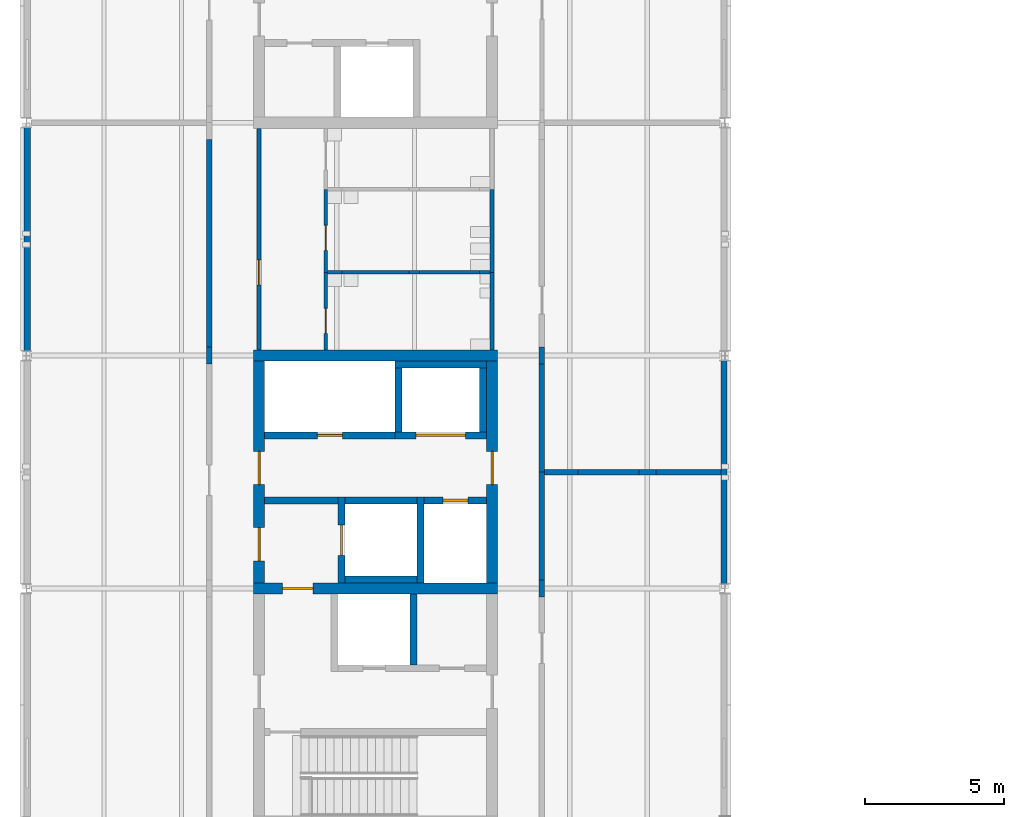
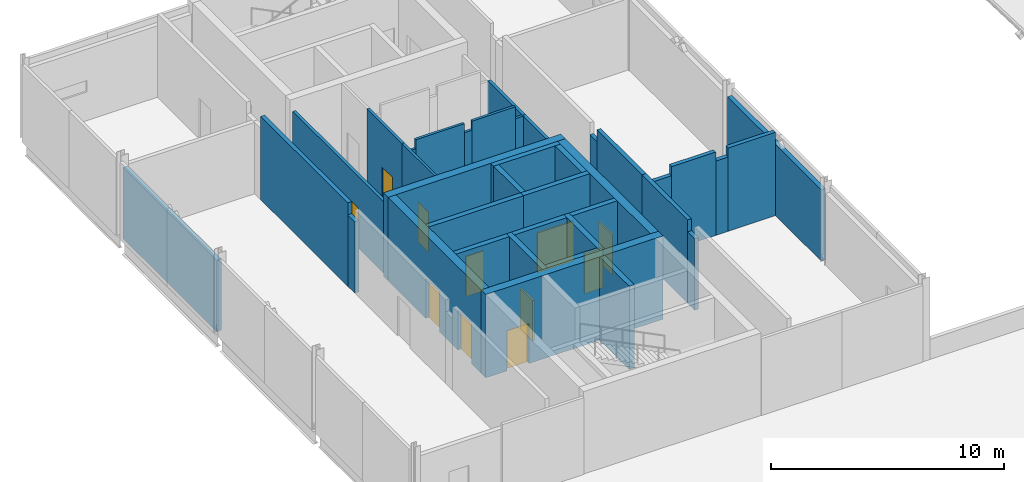
# One storey, part 32 of 76: 38 walls, 11 doors, 11 openings.
"""IFC4 building model written with IfcOpenShell, lengths in metres."""

from ifc_helpers import new_model, si_unit, direction, frame, frame_2d, origin, place, context, subcontext, project, spatial, rectangle, extrude, material, layer, layer_set, type_object, element, fill, save


model = new_model("IFC4")

# Units and contexts
model_context = context("Model", 3, precision=1e-05, world=origin(), true_north=direction((0.0, 1.0)))
body_context = subcontext(model_context, "Body", "Model", "MODEL_VIEW")
ifc_project = project(units=[si_unit("LENGTHUNIT", "METRE"), si_unit("AREAUNIT", "SQUARE_METRE"), si_unit("VOLUMEUNIT", "CUBIC_METRE"), si_unit("PLANEANGLEUNIT", "RADIAN"), si_unit("MASSUNIT", "GRAM", prefix="KILO")], contexts=[model_context])

# Site, building, storey
site_placement = place(None, origin())
site = spatial("IfcSite", under=ifc_project, at=site_placement, CompositionType="ELEMENT")
building_placement = place(site_placement, origin())
building = spatial("IfcBuilding", under=site, at=building_placement, Name="Hlaing Beacon Police Headquarters", CompositionType="ELEMENT")
storey_placement = place(building_placement, frame((0.0, 0.0, 18.89990234375)))
storey = spatial("IfcBuildingStorey", under=building, at=storey_placement, Name="L04", CompositionType="ELEMENT", Elevation=18.89990234375)

# Wall, opening, door
ifc_material_1 = material(Name="Concrete C60/75", Category="concrete")
ifc_layer_1 = layer(ifc_material_1, 0.39990234375)
ifc_layer_set_1 = layer_set([ifc_layer_1], Name="Concrete C60/75")
wall_type_1 = type_object("IfcWallType", Name="Core shear wall 400", PredefinedType="SHEAR", material=ifc_layer_set_1)
wall_1_placement = place(storey_placement, frame((16.60009765625, 42.0, 0.0), z_axis=(0.0, 0.0, 1.0), x_axis=(1.0, 0.0, 0.0)))
wall_1 = element("IfcWall", 1, at=wall_1_placement, inside=storey, type_object=wall_type_1, Name="Core shear wall", PredefinedType="SHEAR", context=body_context, shape_type="SweptSolid", body=[
    extrude(rectangle(XDim=8.7998046875, YDim=0.39990234375, at=frame_2d((4.39990234375, 0.0))), origin(), (0.0, 0.0, 1.0), 4.3701171875),
])
opening_1_placement = place(wall_1_placement, frame((1.050048828125, 0.0, 0.0)))
opening_1 = element("IfcOpeningElement", 2, at=opening_1_placement, cuts=wall_1, Name="Opening L04-919", PredefinedType="OPENING", context=body_context, shape_type="SweptSolid", body=[
    extrude(rectangle(XDim=1.10009765625, YDim=2.10009765625, at=frame_2d((0.550048828125, 1.050048828125))), frame((0.0, 0.2099609375, 0.0), z_axis=(0.0, -1.0, 0.0), x_axis=(1.0, 0.0, 0.0)), (0.0, 0.0, 1.0), 0.419921875),
])
ifc_material_2 = material(Name="Steel fire door leaf", Category="steel")
ifc_layer_2 = layer(ifc_material_2, 0.070068359375)
ifc_layer_set_2 = layer_set([ifc_layer_2], Name="Steel fire door leaf")
door_type_1 = type_object("IfcDoorType", Name="Steel fire door FD60S 1100x2100", OperationType="SINGLE_SWING_LEFT", PredefinedType="DOOR", material=ifc_layer_set_2)
door_1_placement = place(opening_1_placement, frame((1.10009765625, 0.0, 0.0), z_axis=(0.0, 0.0, 1.0), x_axis=(-1.0, 0.0, 0.0)))
door_1 = element("IfcDoor", 3, at=door_1_placement, inside=storey, type_object=door_type_1, Name="Door Firefighting Lobby Stair", OperationType="SINGLE_SWING_LEFT", OverallHeight=2.10009765625, OverallWidth=1.10009765625, PredefinedType="DOOR", context=body_context, shape_type="SweptSolid", body=[
    extrude(rectangle(XDim=1.10009765625, YDim=2.10009765625, at=frame_2d((0.550048828125, 1.050048828125))), frame((0.0, 0.034912109375, 0.0), z_axis=(0.0, -1.0, 0.0), x_axis=(1.0, 0.0, 0.0)), (0.0, 0.0, 1.0), 0.070068359375),
])
fill(opening_1, door_1)

# Wall
wall_2_placement = place(storey_placement, frame((16.60009765625, 50.39990234375, 0.0), z_axis=(0.0, 0.0, 1.0), x_axis=(1.0, 0.0, 0.0)))
element("IfcWall", 4, at=wall_2_placement, inside=storey, type_object=wall_type_1, Name="Core shear wall", PredefinedType="SHEAR", context=body_context, shape_type="SweptSolid", body=[
    extrude(rectangle(XDim=8.7998046875, YDim=0.39990234375, at=frame_2d((4.39990234375, 0.0))), origin(), (0.0, 0.0, 1.0), 4.3701171875),
])

# Wall, openings, doors
wall_3_placement = place(storey_placement, frame((16.800048828125, 42.199951171875, 0.0), z_axis=(0.0, 0.0, 1.0), x_axis=(0.0, 1.0, 0.0)))
wall_3 = element("IfcWall", 5, at=wall_3_placement, inside=storey, type_object=wall_type_1, Name="Core shear wall", PredefinedType="SHEAR", context=body_context, shape_type="SweptSolid", body=[
    extrude(rectangle(XDim=8.0, YDim=0.39990234375, at=frame_2d((4.0, 0.0))), origin(), (0.0, 0.0, 1.0), 4.3701171875),
])
opening_2_placement = place(wall_3_placement, frame((3.550048828125, 0.0, 0.0)))
opening_2 = element("IfcOpeningElement", 6, at=opening_2_placement, cuts=wall_3, Name="Opening L04-916", PredefinedType="OPENING", context=body_context, shape_type="SweptSolid", body=[
    extrude(rectangle(XDim=1.199951171875, YDim=2.10009765625, at=frame_2d((0.60009765625, 1.050048828125))), frame((0.0, 0.2099609375, 0.0), z_axis=(0.0, -1.0, 0.0), x_axis=(1.0, 0.0, 0.0)), (0.0, 0.0, 1.0), 0.419921875),
])
opening_3_placement = place(wall_3_placement, frame((0.800048828125, 0.0, 0.0)))
opening_3 = element("IfcOpeningElement", 7, at=opening_3_placement, cuts=wall_3, Name="Opening L04-918", PredefinedType="OPENING", context=body_context, shape_type="SweptSolid", body=[
    extrude(rectangle(XDim=1.199951171875, YDim=2.10009765625, at=frame_2d((0.60009765625, 1.050048828125))), frame((0.0, 0.2099609375, 0.0), z_axis=(0.0, -1.0, 0.0), x_axis=(1.0, 0.0, 0.0)), (0.0, 0.0, 1.0), 0.419921875),
])
ifc_material_3 = material(Name="Steel fire door leaf", Category="steel")
ifc_layer_3 = layer(ifc_material_3, 0.070068359375)
ifc_layer_set_3 = layer_set([ifc_layer_3], Name="Steel fire door leaf")
door_type_2 = type_object("IfcDoorType", Name="Steel fire door FD60S 1200x2100", OperationType="SINGLE_SWING_LEFT", PredefinedType="DOOR", material=ifc_layer_set_3)
door_2_placement = place(opening_2_placement, frame((1.199951171875, 0.0, 0.0), z_axis=(0.0, 0.0, 1.0), x_axis=(-1.0, 0.0, 0.0)))
door_2 = element("IfcDoor", 8, at=door_2_placement, inside=storey, type_object=door_type_2, Name="Door Lift Lobby Entry", OperationType="SINGLE_SWING_RIGHT", OverallHeight=2.10009765625, OverallWidth=1.199951171875, PredefinedType="DOOR", context=body_context, shape_type="SweptSolid", body=[
    extrude(rectangle(XDim=1.199951171875, YDim=2.10009765625, at=frame_2d((0.599853515625, 1.050048828125))), frame((0.0, 0.034912109375, 0.0), z_axis=(0.0, -1.0, 0.0), x_axis=(1.0, 0.0, 0.0)), (0.0, 0.0, 1.0), 0.070068359375),
])
fill(opening_2, door_2)
door_3_placement = place(opening_3_placement, frame((1.199951171875, 0.0, 0.0), z_axis=(0.0, 0.0, 1.0), x_axis=(-1.0, 0.0, 0.0)))
door_3 = element("IfcDoor", 9, at=door_3_placement, inside=storey, type_object=door_type_2, Name="Door Firefighting Lobby Entry", OperationType="SINGLE_SWING_LEFT", OverallHeight=2.10009765625, OverallWidth=1.199951171875, PredefinedType="DOOR", context=body_context, shape_type="SweptSolid", body=[
    extrude(rectangle(XDim=1.199951171875, YDim=2.10009765625, at=frame_2d((0.599853515625, 1.050048828125))), frame((0.0, 0.034912109375, 0.0), z_axis=(0.0, -1.0, 0.0), x_axis=(1.0, 0.0, 0.0)), (0.0, 0.0, 1.0), 0.070068359375),
])
fill(opening_3, door_3)

# Wall, opening, door
wall_4_placement = place(storey_placement, frame((25.199951171875, 42.199951171875, 0.0), z_axis=(0.0, 0.0, 1.0), x_axis=(0.0, 1.0, 0.0)))
wall_4 = element("IfcWall", 10, at=wall_4_placement, inside=storey, type_object=wall_type_1, Name="Core shear wall", PredefinedType="SHEAR", context=body_context, shape_type="SweptSolid", body=[
    extrude(rectangle(XDim=8.0, YDim=0.39990234375, at=frame_2d((4.0, 0.0))), origin(), (0.0, 0.0, 1.0), 4.3701171875),
])
opening_4_placement = place(wall_4_placement, frame((3.550048828125, 0.0, 0.0)))
opening_4 = element("IfcOpeningElement", 11, at=opening_4_placement, cuts=wall_4, Name="Opening L04-917", PredefinedType="OPENING", context=body_context, shape_type="SweptSolid", body=[
    extrude(rectangle(XDim=1.199951171875, YDim=2.10009765625, at=frame_2d((0.60009765625, 1.050048828125))), frame((0.0, 0.2099609375, 0.0), z_axis=(0.0, -1.0, 0.0), x_axis=(1.0, 0.0, 0.0)), (0.0, 0.0, 1.0), 0.419921875),
])
door_4_placement = place(opening_4_placement, origin())
door_4 = element("IfcDoor", 12, at=door_4_placement, inside=storey, type_object=door_type_2, Name="Door Lift Lobby Entry", OperationType="SINGLE_SWING_LEFT", OverallHeight=2.10009765625, OverallWidth=1.199951171875, PredefinedType="DOOR", context=body_context, shape_type="SweptSolid", body=[
    extrude(rectangle(XDim=1.199951171875, YDim=2.10009765625, at=frame_2d((0.60009765625, 1.050048828125))), frame((0.0, 0.03515625, 0.0), z_axis=(0.0, -1.0, 0.0), x_axis=(1.0, 0.0, 0.0)), (0.0, 0.0, 1.0), 0.070068359375),
])
fill(opening_4, door_4)

# Walls
ifc_material_4 = material(Name="Gypsum board partition")
ifc_layer_4 = layer(ifc_material_4, 0.14990234375)
ifc_layer_set_4 = layer_set([ifc_layer_4], Name="Gypsum board partition")
wall_type_2 = type_object("IfcWallType", Name="Corridor wall EI 30 150", PredefinedType="PARTITIONING", material=ifc_layer_set_4)
wall_5_placement = place(storey_placement, frame((25.199951171875, 53.39990234375, 0.0), z_axis=(0.0, 0.0, 1.0), x_axis=(0.0, 1.0, 0.0)))
element("IfcWall", 13, at=wall_5_placement, inside=storey, type_object=wall_type_2, Name="Corridor wall EI 30 150", PredefinedType="PARTITIONING", context=body_context, shape_type="SweptSolid", body=[
    extrude(rectangle(XDim=3.0, YDim=0.14990234375, at=frame_2d((1.5, 0.0))), origin(), (0.0, 0.0, 1.0), 3.74609375),
])
wall_6_placement = place(storey_placement, frame((25.199951171875, 50.60009765625, 0.0), z_axis=(0.0, 0.0, 1.0), x_axis=(0.0, 1.0, 0.0)))
element("IfcWall", 14, at=wall_6_placement, inside=storey, type_object=wall_type_2, Name="Corridor wall EI 30 150", PredefinedType="PARTITIONING", context=body_context, shape_type="SweptSolid", body=[
    extrude(rectangle(XDim=2.7998046875, YDim=0.14990234375, at=frame_2d((1.39990234375, 0.0))), origin(), (0.0, 0.0, 1.0), 3.74609375),
])

# Wall, opening, door
wall_7_placement = place(storey_placement, frame((16.800048828125, 50.60009765625, 0.0), z_axis=(0.0, 0.0, 1.0), x_axis=(0.0, 1.0, 0.0)))
wall_7 = element("IfcWall", 15, at=wall_7_placement, inside=storey, type_object=wall_type_2, Name="Corridor wall EI 30 150", PredefinedType="PARTITIONING", context=body_context, shape_type="SweptSolid", body=[
    extrude(rectangle(XDim=8.0, YDim=0.14990234375, at=frame_2d((4.0, 0.0))), origin(), (0.0, 0.0, 1.0), 3.74609375),
])
opening_5_placement = place(wall_7_placement, frame((2.35009765625, 0.0, 0.0)))
opening_5 = element("IfcOpeningElement", 16, at=opening_5_placement, cuts=wall_7, Name="Opening L04-017", PredefinedType="OPENING", context=body_context, shape_type="SweptSolid", body=[
    extrude(rectangle(XDim=0.89990234375, YDim=2.10009765625, at=frame_2d((0.449951171875, 1.050048828125))), frame((0.0, 0.0849609375, 0.0), z_axis=(0.0, -1.0, 0.0), x_axis=(1.0, 0.0, 0.0)), (0.0, 0.0, 1.0), 0.169921875),
])
ifc_material_5 = material(Name="Hardwood door leaf", Category="wood")
ifc_layer_5 = layer(ifc_material_5, 0.050048828125)
ifc_layer_set_5 = layer_set([ifc_layer_5], Name="Hardwood door leaf")
door_type_3 = type_object("IfcDoorType", Name="Fire door FD30S 900x2100", OperationType="SINGLE_SWING_LEFT", PredefinedType="DOOR", material=ifc_layer_set_5)
door_5_placement = place(opening_5_placement, frame((0.89990234375, 0.0, 0.0), z_axis=(0.0, 0.0, 1.0), x_axis=(-1.0, 0.0, 0.0)))
door_5 = element("IfcDoor", 17, at=door_5_placement, inside=storey, type_object=door_type_3, Name="Door WC Lobby", OperationType="SINGLE_SWING_RIGHT", OverallHeight=2.10009765625, OverallWidth=0.89990234375, PredefinedType="DOOR", context=body_context, shape_type="SweptSolid", body=[
    extrude(rectangle(XDim=0.89990234375, YDim=2.10009765625, at=frame_2d((0.449951171875, 1.050048828125))), frame((0.0, 0.025146484375, 0.0), z_axis=(0.0, -1.0, 0.0), x_axis=(1.0, 0.0, 0.0)), (0.0, 0.0, 1.0), 0.050048828125),
])
fill(opening_5, door_5)

# Walls
ifc_material_6 = material(Name="Concrete blockwork 7.5 N/mm2", Category="masonry")
ifc_layer_6 = layer(ifc_material_6, 0.199951171875)
ifc_layer_set_6 = layer_set([ifc_layer_6], Name="Concrete blockwork 7.5 N/mm2")
wall_type_3 = type_object("IfcWallType", Name="Laboratory wall EI 60 200", PredefinedType="PARTITIONING", material=ifc_layer_set_6)
wall_8_placement = place(storey_placement, frame((27.0, 41.695068359375, 0.0), z_axis=(0.0, 0.0, 1.0), x_axis=(0.0, 1.0, 0.0)))
element("IfcWall", 18, at=wall_8_placement, inside=storey, type_object=wall_type_3, Name="Laboratory wall EI 60 200", PredefinedType="PARTITIONING", context=body_context, shape_type="SweptSolid", body=[
    extrude(rectangle(XDim=0.60986328125, YDim=0.199951171875, at=frame_2d((0.304931640625, 0.0))), origin(), (0.0, 0.0, 1.0), 3.74609375),
])
for number, where, z_axis, x_axis, name in (
    (19, (27.0, 42.304931640625, 0.0), (0.0, 0.0, 1.0), (0.0, 1.0, 0.0), "Laboratory wall EI 60 200"),
    (20, (27.0, 46.199951171875, 0.0), (0.0, 0.0, 1.0), (0.0, 1.0, 0.0), "Laboratory wall EI 60 200"),
):
    element("IfcWall", number, at=place(storey_placement, frame(where, z_axis=z_axis, x_axis=x_axis)), inside=storey, type_object=wall_type_3, Name=name, PredefinedType="PARTITIONING", context=body_context, shape_type="SweptSolid", body=[
        extrude(rectangle(XDim=3.89501953125, YDim=0.199951171875, at=frame_2d((1.947509765625, 0.0))), origin(), (0.0, 0.0, 1.0), 4.3701171875),
    ])
for number, where, z_axis, x_axis, name in (
    (21, (27.0, 50.094970703125, 0.0), (0.0, 0.0, 1.0), (0.0, 1.0, 0.0), "Laboratory wall EI 60 200"),
    (22, (15.0, 50.094970703125, 0.0), (0.0, 0.0, 1.0), (0.0, 1.0, 0.0), "Laboratory wall EI 60 200"),
):
    element("IfcWall", number, at=place(storey_placement, frame(where, z_axis=z_axis, x_axis=x_axis)), inside=storey, type_object=wall_type_3, Name=name, PredefinedType="PARTITIONING", context=body_context, shape_type="SweptSolid", body=[
        extrude(rectangle(XDim=0.610107421875, YDim=0.199951171875, at=frame_2d((0.30517578125, 0.0))), origin(), (0.0, 0.0, 1.0), 3.74609375),
    ])
wall_9_placement = place(storey_placement, frame((15.0, 50.705078125, 0.0), z_axis=(0.0, 0.0, 1.0), x_axis=(0.0, 1.0, 0.0)))
element("IfcWall", 23, at=wall_9_placement, inside=storey, type_object=wall_type_3, Name="Laboratory wall EI 60 200", PredefinedType="PARTITIONING", context=body_context, shape_type="SweptSolid", body=[
    extrude(rectangle(XDim=7.48486328125, YDim=0.199951171875, at=frame_2d((3.742431640625, 0.0))), origin(), (0.0, 0.0, 1.0), 4.3701171875),
])
wall_10_placement = place(storey_placement, frame((27.10009765625, 46.199951171875, 0.0), z_axis=(0.0, 0.0, 1.0), x_axis=(1.0, 0.0, 0.0)))
element("IfcWall", 24, at=wall_10_placement, inside=storey, type_object=wall_type_3, Name="Laboratory wall EI 60 200", PredefinedType="PARTITIONING", context=body_context, shape_type="SweptSolid", body=[
    extrude(rectangle(XDim=1.204833984375, YDim=0.199951171875, at=frame_2d((0.6025390625, 0.0))), origin(), (0.0, 0.0, 1.0), 3.89501953125),
])
wall_11_placement = place(storey_placement, frame((28.304931640625, 46.199951171875, 0.0), z_axis=(0.0, 0.0, 1.0), x_axis=(1.0, 0.0, 0.0)))
element("IfcWall", 25, at=wall_11_placement, inside=storey, type_object=wall_type_3, Name="Laboratory wall EI 60 200", PredefinedType="PARTITIONING", context=body_context, shape_type="SweptSolid", body=[
    extrude(rectangle(XDim=2.190185546875, YDim=0.199951171875, at=frame_2d((1.09521484375, 0.0))), origin(), (0.0, 0.0, 1.0), 4.3701171875),
])
wall_12_placement = place(storey_placement, frame((30.4951171875, 46.199951171875, 0.0), z_axis=(0.0, 0.0, 1.0), x_axis=(1.0, 0.0, 0.0)))
element("IfcWall", 26, at=wall_12_placement, inside=storey, type_object=wall_type_3, Name="Laboratory wall EI 60 200", PredefinedType="PARTITIONING", context=body_context, shape_type="SweptSolid", body=[
    extrude(rectangle(XDim=0.60986328125, YDim=0.199951171875, at=frame_2d((0.304931640625, 0.0))), origin(), (0.0, 0.0, 1.0), 3.89501953125),
])
wall_13_placement = place(storey_placement, frame((31.10498046875, 46.199951171875, 0.0), z_axis=(0.0, 0.0, 1.0), x_axis=(1.0, 0.0, 0.0)))
element("IfcWall", 27, at=wall_13_placement, inside=storey, type_object=wall_type_3, Name="Laboratory wall EI 60 200", PredefinedType="PARTITIONING", context=body_context, shape_type="SweptSolid", body=[
    extrude(rectangle(XDim=2.344970703125, YDim=0.199951171875, at=frame_2d((1.17236328125, 0.0))), origin(), (0.0, 0.0, 1.0), 4.3701171875),
])

# Wall, opening, door
ifc_material_7 = material(Name="Gypsum board partition")
ifc_layer_7 = layer(ifc_material_7, 0.125)
ifc_layer_set_7 = layer_set([ifc_layer_7], Name="Gypsum board partition")
wall_type_4 = type_object("IfcWallType", Name="Partition 125", PredefinedType="PARTITIONING", material=ifc_layer_set_7)
wall_14_placement = place(storey_placement, frame((19.199951171875, 53.39990234375, 0.0), z_axis=(0.0, 0.0, 1.0), x_axis=(0.0, 1.0, 0.0)))
wall_14 = element("IfcWall", 28, at=wall_14_placement, inside=storey, type_object=wall_type_4, Name="Partition 125", PredefinedType="PARTITIONING", context=body_context, shape_type="SweptSolid", body=[
    extrude(rectangle(XDim=3.0, YDim=0.125, at=frame_2d((1.5, 0.0))), origin(), (0.0, 0.0, 1.0), 4.3701171875),
])
opening_6_placement = place(wall_14_placement, frame((0.800048828125, 0.0, 0.0)))
opening_6 = element("IfcOpeningElement", 29, at=opening_6_placement, cuts=wall_14, Name="Opening L04-016", PredefinedType="OPENING", context=body_context, shape_type="SweptSolid", body=[
    extrude(rectangle(XDim=0.89990234375, YDim=2.10009765625, at=frame_2d((0.449951171875, 1.050048828125))), frame((0.0, 0.072509765625, 0.0), z_axis=(0.0, -1.0, 0.0), x_axis=(1.0, 0.0, 0.0)), (0.0, 0.0, 1.0), 0.14501953125),
])
ifc_material_8 = material(Name="Hardwood door leaf", Category="wood")
ifc_layer_8 = layer(ifc_material_8, 0.0400390625)
ifc_layer_set_8 = layer_set([ifc_layer_8], Name="Hardwood door leaf")
door_type_4 = type_object("IfcDoorType", Name="Door 900x2100", OperationType="SINGLE_SWING_LEFT", PredefinedType="DOOR", material=ifc_layer_set_8)
door_6_placement = place(opening_6_placement, frame((0.89990234375, 0.0, 0.0), z_axis=(0.0, 0.0, 1.0), x_axis=(-1.0, 0.0, 0.0)))
door_6 = element("IfcDoor", 30, at=door_6_placement, inside=storey, type_object=door_type_4, Name="Door Female WC", OperationType="SINGLE_SWING_LEFT", OverallHeight=2.10009765625, OverallWidth=0.89990234375, PredefinedType="DOOR", context=body_context, shape_type="SweptSolid", body=[
    extrude(rectangle(XDim=0.89990234375, YDim=2.10009765625, at=frame_2d((0.449951171875, 1.050048828125))), frame((0.0, 0.02001953125, 0.0), z_axis=(0.0, -1.0, 0.0), x_axis=(1.0, 0.0, 0.0)), (0.0, 0.0, 1.0), 0.0400390625),
])
fill(opening_6, door_6)

# Walls
wall_15_placement = place(storey_placement, frame((19.261962890625, 53.39990234375, 0.0), z_axis=(0.0, 0.0, 1.0), x_axis=(1.0, 0.0, 0.0)))
element("IfcWall", 31, at=wall_15_placement, inside=storey, type_object=wall_type_4, Name="Partition 125", PredefinedType="PARTITIONING", context=body_context, shape_type="SweptSolid", body=[
    extrude(rectangle(XDim=0.531005859375, YDim=0.125, at=frame_2d((0.265625, 0.0))), origin(), (0.0, 0.0, 1.0), 3.89501953125),
])
wall_16_placement = place(storey_placement, frame((19.79296875, 53.39990234375, 0.0), z_axis=(0.0, 0.0, 1.0), x_axis=(1.0, 0.0, 0.0)))
element("IfcWall", 32, at=wall_16_placement, inside=storey, type_object=wall_type_4, Name="Partition 125", PredefinedType="PARTITIONING", context=body_context, shape_type="SweptSolid", body=[
    extrude(rectangle(XDim=2.4140625, YDim=0.125, at=frame_2d((1.20703125, 0.0))), origin(), (0.0, 0.0, 1.0), 4.3701171875),
])
wall_17_placement = place(storey_placement, frame((22.20703125, 53.39990234375, 0.0), z_axis=(0.0, 0.0, 1.0), x_axis=(1.0, 0.0, 0.0)))
element("IfcWall", 33, at=wall_17_placement, inside=storey, type_object=wall_type_4, Name="Partition 125", PredefinedType="PARTITIONING", context=body_context, shape_type="SweptSolid", body=[
    extrude(rectangle(XDim=0.385009765625, YDim=0.125, at=frame_2d((0.1923828125, 0.0))), origin(), (0.0, 0.0, 1.0), 3.89501953125),
])
wall_18_placement = place(storey_placement, frame((22.592041015625, 53.39990234375, 0.0), z_axis=(0.0, 0.0, 1.0), x_axis=(1.0, 0.0, 0.0)))
element("IfcWall", 34, at=wall_18_placement, inside=storey, type_object=wall_type_4, Name="Partition 125", PredefinedType="PARTITIONING", context=body_context, shape_type="SweptSolid", body=[
    extrude(rectangle(XDim=2.14794921875, YDim=0.125, at=frame_2d((1.073974609375, 0.0))), origin(), (0.0, 0.0, 1.0), 4.3701171875),
])
wall_19_placement = place(storey_placement, frame((24.739990234375, 53.39990234375, 0.0), z_axis=(0.0, 0.0, 1.0), x_axis=(1.0, 0.0, 0.0)))
element("IfcWall", 35, at=wall_19_placement, inside=storey, type_object=wall_type_4, Name="Partition 125", PredefinedType="PARTITIONING", context=body_context, shape_type="SweptSolid", body=[
    extrude(rectangle(XDim=0.385009765625, YDim=0.125, at=frame_2d((0.1923828125, 0.0))), origin(), (0.0, 0.0, 1.0), 3.74609375),
])

# Wall, opening, door
wall_20_placement = place(storey_placement, frame((19.199951171875, 50.60009765625, 0.0), z_axis=(0.0, 0.0, 1.0), x_axis=(0.0, 1.0, 0.0)))
wall_20 = element("IfcWall", 36, at=wall_20_placement, inside=storey, type_object=wall_type_4, Name="Partition 125", PredefinedType="PARTITIONING", context=body_context, shape_type="SweptSolid", body=[
    extrude(rectangle(XDim=2.7998046875, YDim=0.125, at=frame_2d((1.39990234375, 0.0))), origin(), (0.0, 0.0, 1.0), 4.3701171875),
])
opening_7_placement = place(wall_20_placement, frame((0.60009765625, 0.0, 0.0)))
opening_7 = element("IfcOpeningElement", 37, at=opening_7_placement, cuts=wall_20, Name="Opening L04-018", PredefinedType="OPENING", context=body_context, shape_type="SweptSolid", body=[
    extrude(rectangle(XDim=0.89990234375, YDim=2.10009765625, at=frame_2d((0.449951171875, 1.050048828125))), frame((0.0, 0.072509765625, 0.0), z_axis=(0.0, -1.0, 0.0), x_axis=(1.0, 0.0, 0.0)), (0.0, 0.0, 1.0), 0.14501953125),
])
door_7_placement = place(opening_7_placement, frame((0.89990234375, 0.0, 0.0), z_axis=(0.0, 0.0, 1.0), x_axis=(-1.0, 0.0, 0.0)))
door_7 = element("IfcDoor", 38, at=door_7_placement, inside=storey, type_object=door_type_4, Name="Door Male WC", OperationType="SINGLE_SWING_LEFT", OverallHeight=2.10009765625, OverallWidth=0.89990234375, PredefinedType="DOOR", context=body_context, shape_type="SweptSolid", body=[
    extrude(rectangle(XDim=0.89990234375, YDim=2.10009765625, at=frame_2d((0.449951171875, 1.050048828125))), frame((0.0, 0.02001953125, 0.0), z_axis=(0.0, -1.0, 0.0), x_axis=(1.0, 0.0, 0.0)), (0.0, 0.0, 1.0), 0.0400390625),
])
fill(opening_7, door_7)

# Walls
ifc_material_9 = material(Name="Fibre cement ribbed cladding on insulated frame")
ifc_layer_9 = layer(ifc_material_9, 0.22509765625)
ifc_layer_set_9 = layer_set([ifc_layer_9], Name="Fibre cement ribbed cladding on insulated frame")
wall_type_5 = type_object("IfcWallType", Name="Ribbed fibre-cement clad wall 225", PredefinedType="SOLIDWALL", material=ifc_layer_set_9)
for number, where, z_axis, x_axis, name in (
    (39, (33.5625, 42.170654296875, 0.0), (0.0, 0.0, 1.0), (0.0, 1.0, 0.0), "External wall L04 E022"),
    (40, (8.4375, 58.62939453125, 0.0), (0.0, 0.0, 1.0), (0.0, -1.0, 0.0), "External wall L04 W028"),
):
    element("IfcWall", number, at=place(storey_placement, frame(where, z_axis=z_axis, x_axis=x_axis)), inside=storey, type_object=wall_type_5, Name=name, PredefinedType="SOLIDWALL", context=body_context, shape_type="SweptSolid", body=[
        extrude(rectangle(XDim=8.05859375, YDim=0.22509765625, at=frame_2d((4.029296875, 0.0))), origin(), (0.0, 0.0, 1.0), 3.738037109375),
    ])

# Wall, opening, door
ifc_material_10 = material(Name="Concrete C40/50", Category="concrete")
ifc_layer_10 = layer(ifc_material_10, 0.25)
ifc_layer_set_10 = layer_set([ifc_layer_10], Name="Concrete C40/50")
wall_type_6 = type_object("IfcWallType", Name="Shaft wall 250", PredefinedType="SOLIDWALL", material=ifc_layer_set_10)
wall_21_placement = place(storey_placement, frame((21.699951171875, 47.52490234375, 0.0), z_axis=(0.0, 0.0, 1.0), x_axis=(-1.0, 0.0, 0.0)))
wall_21 = element("IfcWall", 41, at=wall_21_placement, inside=storey, type_object=wall_type_6, Name="Lobby wall", PredefinedType="SOLIDWALL", context=body_context, shape_type="SweptSolid", body=[
    extrude(rectangle(XDim=4.699951171875, YDim=0.25, at=frame_2d((2.35009765625, 0.0))), origin(), (0.0, 0.0, 1.0), 4.3701171875),
])
opening_8_placement = place(wall_21_placement, frame((1.89990234375, 0.0, 0.0)))
opening_8 = element("IfcOpeningElement", 42, at=opening_8_placement, cuts=wall_21, Name="Opening L04-920", PredefinedType="OPENING", context=body_context, shape_type="SweptSolid", body=[
    extrude(rectangle(XDim=0.89990234375, YDim=2.10009765625, at=frame_2d((0.449951171875, 1.050048828125))), frame((0.0, 0.135009765625, 0.0), z_axis=(0.0, -1.0, 0.0), x_axis=(1.0, 0.0, 0.0)), (0.0, 0.0, 1.0), 0.27001953125),
])
ifc_material_11 = material(Name="Steel fire door leaf", Category="steel")
ifc_layer_11 = layer(ifc_material_11, 0.070068359375)
ifc_layer_set_11 = layer_set([ifc_layer_11], Name="Steel fire door leaf")
door_type_5 = type_object("IfcDoorType", Name="Steel fire door FD60 900x2100", OperationType="SINGLE_SWING_LEFT", PredefinedType="DOOR", material=ifc_layer_set_11)
door_8_placement = place(opening_8_placement, frame((0.89990234375, 0.0, 0.0), z_axis=(0.0, 0.0, 1.0), x_axis=(-1.0, 0.0, 0.0)))
door_8 = element("IfcDoor", 43, at=door_8_placement, inside=storey, type_object=door_type_5, Name="Door Services Riser", OperationType="SINGLE_SWING_RIGHT", OverallHeight=2.10009765625, OverallWidth=0.89990234375, PredefinedType="DOOR", context=body_context, shape_type="SweptSolid", body=[
    extrude(rectangle(XDim=0.89990234375, YDim=2.10009765625, at=frame_2d((0.449951171875, 1.050048828125))), frame((0.0, 0.034912109375, 0.0), z_axis=(0.0, -1.0, 0.0), x_axis=(1.0, 0.0, 0.0)), (0.0, 0.0, 1.0), 0.070068359375),
])
fill(opening_8, door_8)

wall_22_placement = place(storey_placement, frame((25.0, 45.175048828125, 0.0), z_axis=(0.0, 0.0, 1.0), x_axis=(-1.0, 0.0, 0.0)))
wall_22 = element("IfcWall", 44, at=wall_22_placement, inside=storey, type_object=wall_type_6, Name="Lobby wall", PredefinedType="SOLIDWALL", context=body_context, shape_type="SweptSolid", body=[
    extrude(rectangle(XDim=2.25, YDim=0.25, at=frame_2d((1.125, 0.0))), origin(), (0.0, 0.0, 1.0), 4.3701171875),
])
opening_9_placement = place(wall_22_placement, frame((0.675048828125, 0.0, 0.0)))
opening_9 = element("IfcOpeningElement", 45, at=opening_9_placement, cuts=wall_22, Name="Opening L04-921", PredefinedType="OPENING", context=body_context, shape_type="SweptSolid", body=[
    extrude(rectangle(XDim=0.89990234375, YDim=2.10009765625, at=frame_2d((0.449951171875, 1.050048828125))), frame((0.0, 0.135009765625, 0.0), z_axis=(0.0, -1.0, 0.0), x_axis=(1.0, 0.0, 0.0)), (0.0, 0.0, 1.0), 0.27001953125),
])
ifc_material_12 = material(Name="Steel fire door leaf", Category="steel")
ifc_layer_12 = layer(ifc_material_12, 0.10009765625)
ifc_layer_set_12 = layer_set([ifc_layer_12], Name="Steel fire door leaf")
door_type_6 = type_object("IfcDoorType", Name="Steel fire door FD120 900x2100", OperationType="SINGLE_SWING_LEFT", PredefinedType="DOOR", material=ifc_layer_set_12)
door_9_placement = place(opening_9_placement, origin())
door_9 = element("IfcDoor", 46, at=door_9_placement, inside=storey, type_object=door_type_6, Name="Door Electrical Riser Room", OperationType="SINGLE_SWING_LEFT", OverallHeight=2.10009765625, OverallWidth=0.89990234375, PredefinedType="DOOR", context=body_context, shape_type="SweptSolid", body=[
    extrude(rectangle(XDim=0.89990234375, YDim=2.10009765625, at=frame_2d((0.449951171875, 1.050048828125))), frame((0.0, 0.050048828125, 0.0), z_axis=(0.0, -1.0, 0.0), x_axis=(1.0, 0.0, 0.0)), (0.0, 0.0, 1.0), 0.10009765625),
])
fill(opening_9, door_9)

# Walls
wall_23_placement = place(storey_placement, frame((19.64990234375, 45.175048828125, 0.0), z_axis=(0.0, 0.0, 1.0), x_axis=(-1.0, 0.0, 0.0)))
element("IfcWall", 47, at=wall_23_placement, inside=storey, type_object=wall_type_6, Name="Firefighting lobby wall", PredefinedType="SOLIDWALL", context=body_context, shape_type="SweptSolid", body=[
    extrude(rectangle(XDim=2.64990234375, YDim=0.25, at=frame_2d((1.324951171875, 0.0))), origin(), (0.0, 0.0, 1.0), 4.3701171875),
])
wall_24_placement = place(storey_placement, frame((22.375, 39.25, 0.0), z_axis=(0.0, 0.0, 1.0), x_axis=(0.0, 1.0, 0.0)))
element("IfcWall", 48, at=wall_24_placement, inside=storey, type_object=wall_type_6, Name="Riser wall", PredefinedType="SOLIDWALL", context=body_context, shape_type="SweptSolid", body=[
    extrude(rectangle(XDim=2.550048828125, YDim=0.25, at=frame_2d((1.27490234375, 0.0))), origin(), (0.0, 0.0, 1.0), 4.3701171875),
])
wall_25_placement = place(storey_placement, frame((24.875, 47.64990234375, 0.0), z_axis=(0.0, 0.0, 1.0), x_axis=(0.0, 1.0, 0.0)))
element("IfcWall", 49, at=wall_25_placement, inside=storey, type_object=wall_type_6, Name="Lift shaft wall EL1", PredefinedType="SOLIDWALL", context=body_context, shape_type="SweptSolid", body=[
    extrude(rectangle(XDim=2.300048828125, YDim=0.25, at=frame_2d((1.14990234375, 0.0))), origin(), (0.0, 0.0, 1.0), 4.3701171875),
])
wall_26_placement = place(storey_placement, frame((21.699951171875, 50.074951171875, 0.0), z_axis=(0.0, 0.0, 1.0), x_axis=(1.0, 0.0, 0.0)))
element("IfcWall", 50, at=wall_26_placement, inside=storey, type_object=wall_type_6, Name="Lift shaft wall EL1", PredefinedType="SOLIDWALL", context=body_context, shape_type="SweptSolid", body=[
    extrude(rectangle(XDim=3.300048828125, YDim=0.25, at=frame_2d((1.64990234375, 0.0))), origin(), (0.0, 0.0, 1.0), 4.3701171875),
])

# Wall, opening, door
wall_27_placement = place(storey_placement, frame((21.699951171875, 47.52490234375, 0.0), z_axis=(0.0, 0.0, 1.0), x_axis=(1.0, 0.0, 0.0)))
wall_27 = element("IfcWall", 51, at=wall_27_placement, inside=storey, type_object=wall_type_6, Name="Lift shaft wall EL1", PredefinedType="SOLIDWALL", context=body_context, shape_type="SweptSolid", body=[
    extrude(rectangle(XDim=3.300048828125, YDim=0.25, at=frame_2d((1.64990234375, 0.0))), origin(), (0.0, 0.0, 1.0), 4.3701171875),
])
opening_10_placement = place(wall_27_placement, frame((0.75, 0.0, 0.0)))
opening_10 = element("IfcOpeningElement", 52, at=opening_10_placement, cuts=wall_27, Name="Opening LD-EL1-L04", PredefinedType="OPENING", context=body_context, shape_type="SweptSolid", body=[
    extrude(rectangle(XDim=1.800048828125, YDim=2.10009765625, at=frame_2d((0.89990234375, 1.050048828125))), frame((0.0, 0.135009765625, 0.0), z_axis=(0.0, -1.0, 0.0), x_axis=(1.0, 0.0, 0.0)), (0.0, 0.0, 1.0), 0.27001953125),
])
ifc_material_13 = material(Name="Stainless steel lift landing door", Category="steel")
ifc_layer_13 = layer(ifc_material_13, 0.06005859375)
ifc_layer_set_13 = layer_set([ifc_layer_13], Name="Stainless steel lift landing door")
door_type_7 = type_object("IfcDoorType", Name="Lift landing door 1800x2100", OperationType="DOUBLE_DOOR_SLIDING", PredefinedType="DOOR", material=ifc_layer_set_13)
door_10_placement = place(opening_10_placement, origin())
door_10 = element("IfcDoor", 53, at=door_10_placement, inside=storey, type_object=door_type_7, Name="Landing door EL1 L04", OperationType="DOUBLE_DOOR_SLIDING", OverallHeight=2.10009765625, OverallWidth=1.800048828125, PredefinedType="DOOR", context=body_context, shape_type="SweptSolid", body=[
    extrude(rectangle(XDim=1.800048828125, YDim=2.10009765625, at=frame_2d((0.89990234375, 1.050048828125))), frame((0.0, 0.0400390625, 0.0), z_axis=(0.0, -1.0, 0.0), x_axis=(1.0, 0.0, 0.0)), (0.0, 0.0, 1.0), 0.080078125),
])
fill(opening_10, door_10)

# Walls
wall_28_placement = place(storey_placement, frame((21.824951171875, 47.64990234375, 0.0), z_axis=(0.0, 0.0, 1.0), x_axis=(0.0, 1.0, 0.0)))
element("IfcWall", 54, at=wall_28_placement, inside=storey, type_object=wall_type_6, Name="Lift shaft wall EL1", PredefinedType="SOLIDWALL", context=body_context, shape_type="SweptSolid", body=[
    extrude(rectangle(XDim=2.300048828125, YDim=0.25, at=frame_2d((1.14990234375, 0.0))), origin(), (0.0, 0.0, 1.0), 4.3701171875),
])
wall_29_placement = place(storey_placement, frame((22.625, 42.199951171875, 0.0), z_axis=(0.0, 0.0, 1.0), x_axis=(0.0, 1.0, 0.0)))
element("IfcWall", 55, at=wall_29_placement, inside=storey, type_object=wall_type_6, Name="Lift shaft wall FL2", PredefinedType="SOLIDWALL", context=body_context, shape_type="SweptSolid", body=[
    extrude(rectangle(XDim=3.10009765625, YDim=0.25, at=frame_2d((1.550048828125, 0.0))), origin(), (0.0, 0.0, 1.0), 4.3701171875),
])
for number, where, z_axis, x_axis, name in (
    (56, (19.89990234375, 45.175048828125, 0.0), (0.0, 0.0, 1.0), (1.0, 0.0, 0.0), "Lift shaft wall FL2"),
    (57, (19.89990234375, 42.324951171875, 0.0), (0.0, 0.0, 1.0), (1.0, 0.0, 0.0), "Lift shaft wall FL2"),
):
    element("IfcWall", number, at=place(storey_placement, frame(where, z_axis=z_axis, x_axis=x_axis)), inside=storey, type_object=wall_type_6, Name=name, PredefinedType="SOLIDWALL", context=body_context, shape_type="SweptSolid", body=[
        extrude(rectangle(XDim=2.60009765625, YDim=0.25, at=frame_2d((1.300048828125, 0.0))), origin(), (0.0, 0.0, 1.0), 4.3701171875),
    ])

# Wall, opening, door
wall_30_placement = place(storey_placement, frame((19.77490234375, 42.199951171875, 0.0), z_axis=(0.0, 0.0, 1.0), x_axis=(0.0, 1.0, 0.0)))
wall_30 = element("IfcWall", 58, at=wall_30_placement, inside=storey, type_object=wall_type_6, Name="Lift shaft wall FL2", PredefinedType="SOLIDWALL", context=body_context, shape_type="SweptSolid", body=[
    extrude(rectangle(XDim=3.10009765625, YDim=0.25, at=frame_2d((1.550048828125, 0.0))), origin(), (0.0, 0.0, 1.0), 4.3701171875),
])
opening_11_placement = place(wall_30_placement, frame((1.0, 0.0, 0.0)))
opening_11 = element("IfcOpeningElement", 59, at=opening_11_placement, cuts=wall_30, Name="Opening LD-FL2-L04", PredefinedType="OPENING", context=body_context, shape_type="SweptSolid", body=[
    extrude(rectangle(XDim=1.10009765625, YDim=2.10009765625, at=frame_2d((0.550048828125, 1.050048828125))), frame((0.0, 0.135009765625, 0.0), z_axis=(0.0, -1.0, 0.0), x_axis=(1.0, 0.0, 0.0)), (0.0, 0.0, 1.0), 0.27001953125),
])
ifc_material_14 = material(Name="Stainless steel lift landing door", Category="steel")
ifc_layer_14 = layer(ifc_material_14, 0.06005859375)
ifc_layer_set_14 = layer_set([ifc_layer_14], Name="Stainless steel lift landing door")
door_type_8 = type_object("IfcDoorType", Name="Lift landing door 1100x2100", OperationType="DOUBLE_DOOR_SLIDING", PredefinedType="DOOR", material=ifc_layer_set_14)
door_11_placement = place(opening_11_placement, origin())
door_11 = element("IfcDoor", 60, at=door_11_placement, inside=storey, type_object=door_type_8, Name="Landing door FL2 L04", OperationType="DOUBLE_DOOR_SLIDING", OverallHeight=2.10009765625, OverallWidth=1.10009765625, PredefinedType="DOOR", context=body_context, shape_type="SweptSolid", body=[
    extrude(rectangle(XDim=1.10009765625, YDim=2.10009765625, at=frame_2d((0.550048828125, 1.050048828125))), frame((0.0, 0.0400390625, 0.0), z_axis=(0.0, -1.0, 0.0), x_axis=(1.0, 0.0, 0.0)), (0.0, 0.0, 1.0), 0.080078125),
])
fill(opening_11, door_11)

save(model, "model.ifc")
